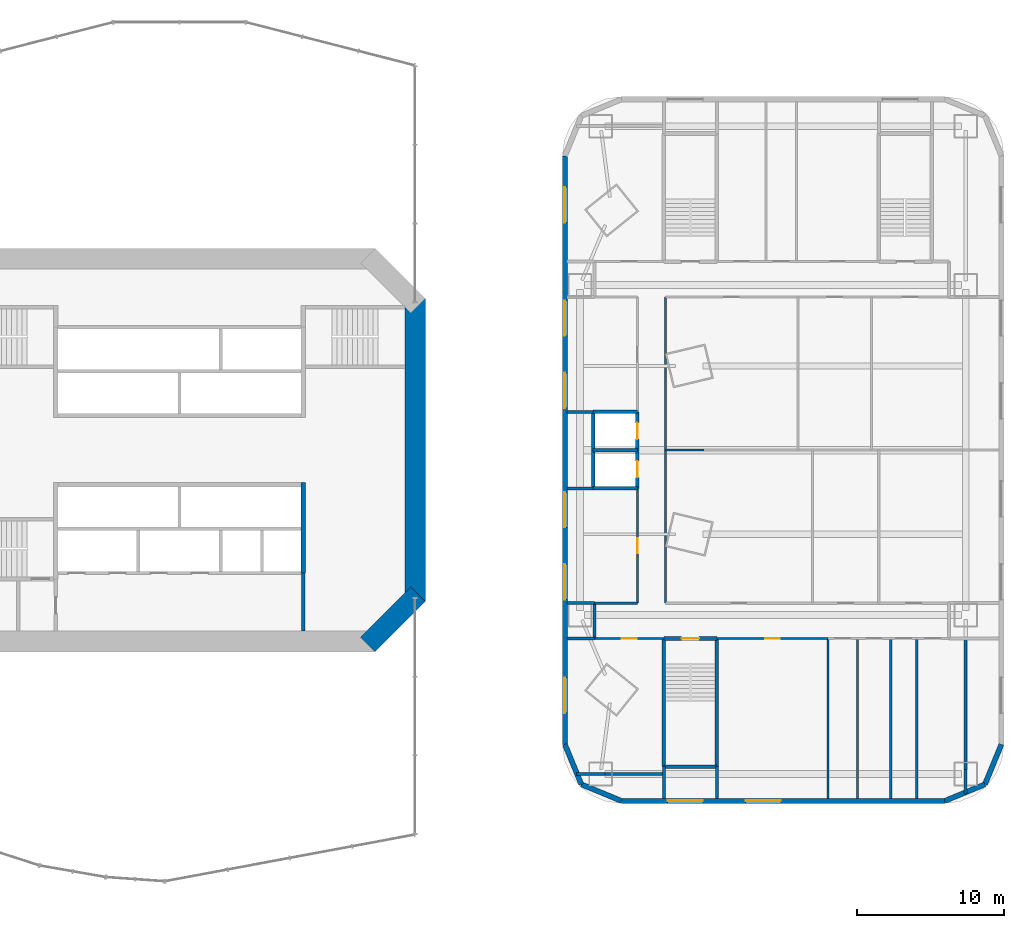
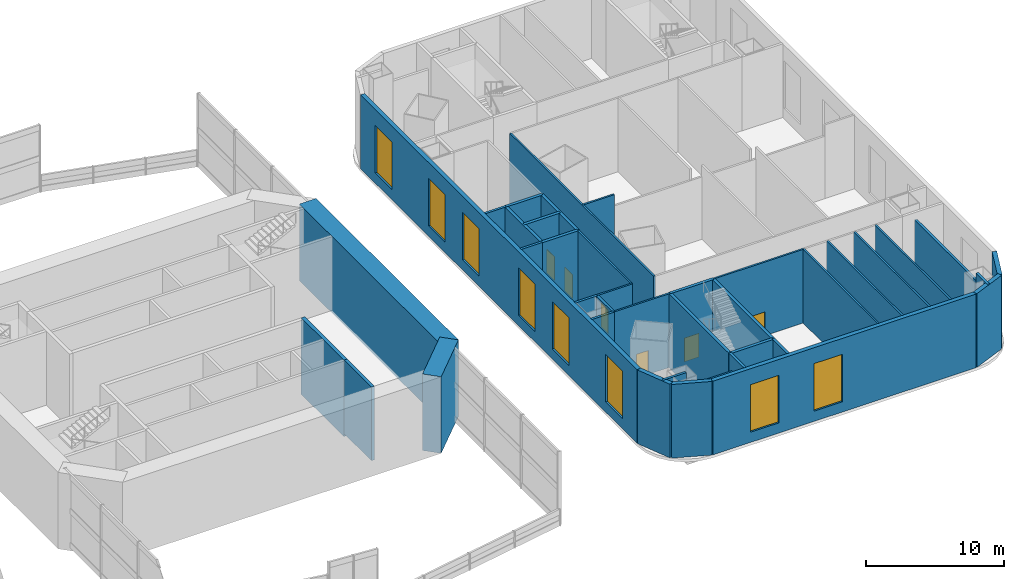
# One storey, part 13 of 19: 40 walls, 8 windows, 6 doors, 14 openings.
"""IFC4 building model written with IfcOpenShell, lengths in metres."""

import ifcopenshell
import ifcopenshell.guid

model = None  # the IFC model being written
_history = None  # IfcOwnerHistory: only IFC2X3 demands one
_inside = {}  # id of a spatial element -> (the spatial element, [elements in it])
_under = {}  # id of a project, library or spatial element -> (it, [spatial elements below it])
_declared = {}  # id of a project -> (the project, [libraries it declares])
_typed = {}  # id of a type object -> (the type object, [elements of that type])
_made_of = {}  # id of a material, layer set ... -> (it, [elements and type objects made of it])


def new_model(schema):
    """Start an empty IFC model of exactly this schema.

    Asked for "IFC4X3", IfcOpenShell would pick the latest addendum, in which some entities
    have other attributes; the version numbers below select the first issue.
    IFC2X3 requires an IfcOwnerHistory on every rooted entity: one is made here for all.
    """
    global model, _history
    if schema == "IFC4X3":
        model = ifcopenshell.file(schema_version=(4, 3, 0, 0))
    else:
        model = ifcopenshell.file(schema=schema)
    _inside.clear()
    _under.clear()
    _declared.clear()
    _typed.clear()
    _made_of.clear()
    _history = None
    if model.schema == "IFC2X3":
        org = make("IfcOrganization", Name="unknown")
        user = make(
            "IfcPersonAndOrganization",
            ThePerson=make("IfcPerson", FamilyName="unknown"),
            TheOrganization=org,
        )
        app = make(
            "IfcApplication",
            ApplicationDeveloper=org,
            Version="unknown",
            ApplicationFullName="unknown",
            ApplicationIdentifier="unknown",
        )
        _history = make(
            "IfcOwnerHistory",
            OwningUser=user,
            OwningApplication=app,
            ChangeAction="ADDED",
            CreationDate=0,
        )
    return model


def make(cls, **values):
    """One entity of the class cls with the attributes given. An attribute that is None is left unset."""
    return model.create_entity(
        cls, **{name: value for name, value in values.items() if value is not None}
    )


def rooted(cls, **values):
    """An entity with a GlobalId (a new one), such as an element, a storey or a relation."""
    return make(cls, GlobalId=ifcopenshell.guid.new(), OwnerHistory=_history, **values)


def si_unit(unit_type, name, prefix=None):
    """IfcSIUnit, for example si_unit("LENGTHUNIT", "METRE", prefix="MILLI")."""
    return make("IfcSIUnit", UnitType=unit_type, Prefix=prefix, Name=name)


def assignment(units):
    """IfcUnitAssignment: the units of a project."""
    return None if units is None else make("IfcUnitAssignment", Units=units)


def point(xyz):
    """IfcCartesianPoint."""
    return None if xyz is None else make("IfcCartesianPoint", Coordinates=xyz)


def direction(xyz):
    """IfcDirection."""
    return None if xyz is None else make("IfcDirection", DirectionRatios=xyz)


def frame(location, z_axis=None, x_axis=None):
    """IfcAxis2Placement3D, a coordinate frame: its origin and axes. An axis left out is left unset."""
    return make(
        "IfcAxis2Placement3D",
        Location=point(location),
        Axis=direction(z_axis),
        RefDirection=direction(x_axis),
    )


def frame_2d(location, x_axis=None):
    """IfcAxis2Placement2D, a coordinate frame in the plane: its origin and x axis."""
    return make(
        "IfcAxis2Placement2D", Location=point(location), RefDirection=direction(x_axis)
    )


def origin():
    """The frame at (0, 0, 0) with its axes left unset."""
    return frame((0.0, 0.0, 0.0))


def place(relative_to, where):
    """IfcLocalPlacement: puts the frame where relative to a parent placement (None: the world)."""
    return make(
        "IfcLocalPlacement", PlacementRelTo=relative_to, RelativePlacement=where
    )


def context(
    kind, dimensions, precision=None, world=None, true_north=None, identifier=None
):
    """IfcGeometricRepresentationContext, for example the 3D "Model" context."""
    return make(
        "IfcGeometricRepresentationContext",
        ContextIdentifier=identifier,
        ContextType=kind,
        CoordinateSpaceDimension=dimensions,
        Precision=precision,
        WorldCoordinateSystem=world,
        TrueNorth=true_north,
    )


def subcontext(parent, identifier, kind, view, scale=None):
    """IfcGeometricRepresentationSubContext, for example "Body" below "Model"."""
    return make(
        "IfcGeometricRepresentationSubContext",
        ContextIdentifier=identifier,
        ContextType=kind,
        ParentContext=parent,
        TargetScale=scale,
        TargetView=view,
    )


def project(units=None, contexts=None):
    """IfcProject with its units and contexts."""
    return rooted(
        "IfcProject",
        Name="project",
        RepresentationContexts=contexts,
        UnitsInContext=assignment(units),
    )


def spatial(cls, under=None, at=None, **own):
    """A site, building, storey or space (cls), placed at a placement, below another one or the project."""
    s = rooted(cls, ObjectPlacement=at, **own)
    if under is not None:
        _under.setdefault(under.id(), (under, []))[1].append(s)
    return s


def profile(cls, at=None, kind="AREA", **sizes):
    """A parametric profile (cls). Its sizes go by their IFC names, for example OverallWidth=200.0."""
    return make(cls, ProfileType=kind, Position=at, **sizes)


def rectangle(**sizes):
    """IfcRectangleProfileDef."""
    return profile("IfcRectangleProfileDef", **sizes)


def extrude(swept, where, along, depth):
    """IfcExtrudedAreaSolid: the profile swept, set in the frame where, extruded along a direction by depth."""
    return make(
        "IfcExtrudedAreaSolid",
        SweptArea=swept,
        Position=where,
        ExtrudedDirection=direction(along),
        Depth=depth,
    )


def shape(context_of_items, identifier, shape_type, items):
    """IfcShapeRepresentation: the items that make up one representation, for example the "Body"."""
    return make(
        "IfcShapeRepresentation",
        ContextOfItems=context_of_items,
        RepresentationIdentifier=identifier,
        RepresentationType=shape_type,
        Items=items,
    )


def material(Name=None, Category=None):
    """IfcMaterial."""
    return make("IfcMaterial", Name=Name, Category=Category)


def layer(
    of_material, thickness, ventilated=None, Name=None, Category=None, Priority=None
):
    """IfcMaterialLayer: one layer of a wall or slab, of a material (None: an air gap)."""
    return make(
        "IfcMaterialLayer",
        Material=of_material,
        LayerThickness=thickness,
        IsVentilated=ventilated,
        Name=Name,
        Category=Category,
        Priority=Priority,
    )


def layer_set(layers, Name=None):
    """IfcMaterialLayerSet."""
    return make("IfcMaterialLayerSet", MaterialLayers=layers, LayerSetName=Name)


def made_of(thing, what):
    """Note that an element or type object is made of a material, layer set ...; save() writes the relation."""
    if what is not None:
        _made_of.setdefault(what.id(), (what, []))[1].append(thing)
    return thing


def type_object(cls, material=None, **own):
    """A type object (cls), such as IfcWallType, which elements share."""
    return made_of(rooted(cls, **own), material)


def element(
    cls,
    number,
    at=None,
    inside=None,
    cuts=None,
    type_object=None,
    material=None,
    context=None,
    identifier="Body",
    shape_type=None,
    held_by="IfcProductDefinitionShape",
    body=None,
    shapes=None,
    **own,
):
    """One element of the class cls, such as IfcWall. Its Tag is "e" and its number.

    at: its placement. inside: the storey or other place that contains it. cuts: it is an
    opening in that element (IfcRelVoidsElement). A single representation is given by context,
    identifier, shape_type and body (its items); several are given by shapes. held_by: the class
    of the entity that holds the representations. save() writes the other relations.
    """
    e = rooted(cls, Tag="e%d" % number, ObjectPlacement=at, **own)
    if body is not None:
        shapes = [shape(context, identifier, shape_type, body)]
    if shapes is not None:
        e.Representation = make(held_by, Representations=shapes)
    if inside is not None:
        _inside.setdefault(inside.id(), (inside, []))[1].append(e)
    if cuts is not None:
        rooted(
            "IfcRelVoidsElement", RelatingBuildingElement=cuts, RelatedOpeningElement=e
        )
    if type_object is not None:
        _typed.setdefault(type_object.id(), (type_object, []))[1].append(e)
    return made_of(e, material)


def fill(opening, filler):
    """IfcRelFillsElement: the door or window that sits in an opening."""
    return rooted(
        "IfcRelFillsElement",
        RelatingOpeningElement=opening,
        RelatedBuildingElement=filler,
    )


def aggregate(whole, parts):
    """IfcRelAggregates: a whole, such as a stair, and the parts it consists of."""
    return rooted("IfcRelAggregates", RelatingObject=whole, RelatedObjects=parts)


def save(model, path):
    """Write the relations noted so far, then the file.

    IfcRelAggregates (storeys below a building ...), IfcRelContainedInSpatialStructure (elements
    in a storey), IfcRelDefinesByType, IfcRelAssociatesMaterial and IfcRelDeclares: one each for
    every whole, place, type object, material and project.
    """
    for whole, parts in _under.values():
        aggregate(whole, parts)
    for where, things in _inside.values():
        rooted(
            "IfcRelContainedInSpatialStructure",
            RelatedElements=things,
            RelatingStructure=where,
        )
    for kind, things in _typed.values():
        rooted("IfcRelDefinesByType", RelatedObjects=things, RelatingType=kind)
    for what, things in _made_of.values():
        rooted("IfcRelAssociatesMaterial", RelatedObjects=things, RelatingMaterial=what)
    for by, libraries in _declared.values():
        rooted("IfcRelDeclares", RelatingContext=by, RelatedDefinitions=libraries)
    model.write(path)


model = new_model("IFC4")

# Units and contexts
model_context = context("Model", 3, precision=1e-05, world=origin(), true_north=direction((0.0, 1.0)))
body_context = subcontext(model_context, "Body", "Model", "MODEL_VIEW")
ifc_project = project(units=[si_unit("LENGTHUNIT", "METRE"), si_unit("AREAUNIT", "SQUARE_METRE"), si_unit("VOLUMEUNIT", "CUBIC_METRE"), si_unit("PLANEANGLEUNIT", "RADIAN"), si_unit("MASSUNIT", "GRAM", prefix="KILO")], contexts=[model_context])

# Site, building, storey
site_placement = place(None, origin())
site = spatial("IfcSite", under=ifc_project, at=site_placement, CompositionType="ELEMENT")
building_placement = place(site_placement, origin())
building = spatial("IfcBuilding", under=site, at=building_placement, Name="Marenthal Gate Tower", CompositionType="ELEMENT")
storey_placement = place(building_placement, frame((0.0, 0.0, 19.0)))
storey = spatial("IfcBuildingStorey", under=building, at=storey_placement, Name="L02", CompositionType="ELEMENT", Elevation=19.0)

# Walls
ifc_material_1 = material(Name="Concrete 60 MPa", Category="concrete")
ifc_layer_1 = layer(ifc_material_1, 1.39990234375)
ifc_layer_set_1 = layer_set([ifc_layer_1], Name="Core shear wall 1400")
wall_type_1 = type_object("IfcWallType", Name="Core shear wall 1400", PredefinedType="SHEAR", material=ifc_layer_set_1)
wall_1_placement = place(storey_placement, frame((12.794921875, -13.205078125, -0.25), z_axis=(0.0, 0.0, 1.0), x_axis=(0.707106781187, 0.707106781187, 0.0)))
element("IfcWall", 1, at=wall_1_placement, inside=storey, type_object=wall_type_1, Name="Core wall 01", PredefinedType="SHEAR", context=body_context, shape_type="SweptSolid", body=[
    extrude(rectangle(XDim=4.82275390625, YDim=1.39990234375, at=frame_2d((2.411376953125, 0.0))), origin(), (0.0, 0.0, 1.0), 6.75),
])
wall_2_placement = place(storey_placement, frame((16.0, -10.289794921875, -0.25), z_axis=(0.0, 0.0, 1.0), x_axis=(0.0, 1.0, 0.0)))
element("IfcWall", 2, at=wall_2_placement, inside=storey, type_object=wall_type_1, Name="Core wall 02", PredefinedType="SHEAR", context=body_context, shape_type="SweptSolid", body=[
    extrude(rectangle(XDim=20.57958984375, YDim=1.39990234375, at=frame_2d((10.289794921875, 0.0))), origin(), (0.0, 0.0, 1.0), 6.75),
])
ifc_material_2 = material(Name="Concrete 50 MPa", Category="concrete")
ifc_layer_2 = layer(ifc_material_2, 0.300048828125)
ifc_layer_set_2 = layer_set([ifc_layer_2], Name="Hoistway shear wall 300")
wall_type_2 = type_object("IfcWallType", Name="Hoistway shear wall 300", PredefinedType="SHEAR", material=ifc_layer_set_2)
wall_3_placement = place(storey_placement, frame((8.39990234375, -8.35009765625, -0.25), z_axis=(0.0, 0.0, 1.0), x_axis=(0.0, 1.0, 0.0)))
element("IfcWall", 3, at=wall_3_placement, inside=storey, type_object=wall_type_2, Name="Hoistway wall 33", PredefinedType="SHEAR", context=body_context, shape_type="SweptSolid", body=[
    extrude(rectangle(XDim=6.150146484375, YDim=0.300048828125, at=frame_2d((3.0751953125, 0.0))), origin(), (0.0, 0.0, 1.0), 6.75),
])
ifc_material_3 = material(Name="Concrete 40 MPa", Category="concrete")
ifc_layer_3 = layer(ifc_material_3, 0.25)
ifc_layer_set_3 = layer_set([ifc_layer_3], Name="Hoistway wall 250")
wall_type_3 = type_object("IfcWallType", Name="Hoistway wall 250", PredefinedType="STANDARD", material=ifc_layer_set_3)
for number, where, z_axis, x_axis, name in (
    (4, (28.10009765625, -2.60009765625, 0.0), (0.0, 0.0, 1.0), (1.0, 0.0, 0.0), "Hoistway wall 37"),
    (5, (28.10009765625, 0.0, 0.0), (0.0, 0.0, 1.0), (1.0, 0.0, 0.0), "Hoistway wall 39"),
    (6, (28.10009765625, 2.60009765625, 0.0), (0.0, 0.0, 1.0), (1.0, 0.0, 0.0), "Hoistway wall 41"),
):
    element("IfcWall", number, at=place(storey_placement, frame(where, z_axis=z_axis, x_axis=x_axis)), inside=storey, type_object=wall_type_3, Name=name, PredefinedType="STANDARD", context=body_context, shape_type="SweptSolid", body=[
        extrude(rectangle(XDim=3.0, YDim=0.25, at=frame_2d((1.5, 0.0))), origin(), (0.0, 0.0, 1.0), 6.5),
    ])

# Wall, openings, doors
wall_4_placement = place(storey_placement, frame((31.10009765625, -2.60009765625, 0.0), z_axis=(0.0, 0.0, 1.0), x_axis=(0.0, 1.0, 0.0)))
wall_4 = element("IfcWall", 7, at=wall_4_placement, inside=storey, type_object=wall_type_3, Name="Hoistway wall 42", PredefinedType="STANDARD", context=body_context, shape_type="SweptSolid", body=[
    extrude(rectangle(XDim=5.2001953125, YDim=0.25, at=frame_2d((2.60009765625, 0.0))), origin(), (0.0, 0.0, 1.0), 6.5),
])
opening_1_placement = place(wall_4_placement, frame((0.75, 0.0, 0.0)))
opening_1 = element("IfcOpeningElement", 8, at=opening_1_placement, cuts=wall_4, Name="Opening LD.01", PredefinedType="OPENING", context=body_context, shape_type="SweptSolid", body=[
    extrude(rectangle(XDim=1.10009765625, YDim=2.10009765625, at=frame_2d((0.550048828125, 1.050048828125))), frame((0.0, 0.135009765625, 0.0), z_axis=(0.0, -1.0, 0.0), x_axis=(1.0, 0.0, 0.0)), (0.0, 0.0, 1.0), 0.27001953125),
])
opening_2_placement = place(wall_4_placement, frame((3.35009765625, 0.0, 0.0)))
opening_2 = element("IfcOpeningElement", 9, at=opening_2_placement, cuts=wall_4, Name="Opening LD.02", PredefinedType="OPENING", context=body_context, shape_type="SweptSolid", body=[
    extrude(rectangle(XDim=1.10009765625, YDim=2.10009765625, at=frame_2d((0.550048828125, 1.050048828125))), frame((0.0, 0.135009765625, 0.0), z_axis=(0.0, -1.0, 0.0), x_axis=(1.0, 0.0, 0.0)), (0.0, 0.0, 1.0), 0.27001953125),
])
ifc_material_4 = material(Name="Stainless steel sliding door", Category="steel")
door_type_1 = type_object("IfcDoorType", Name="Lift landing door FD 90 1100 x 2100", OperationType="DOUBLE_DOOR_SLIDING", PredefinedType="DOOR", material=ifc_material_4)
door_1_placement = place(opening_1_placement, origin())
door_1 = element("IfcDoor", 10, at=door_1_placement, inside=storey, type_object=door_type_1, Name="Lift landing door 01", OperationType="DOUBLE_DOOR_SLIDING", OverallHeight=2.10009765625, OverallWidth=1.10009765625, PredefinedType="DOOR", context=body_context, shape_type="SweptSolid", body=[
    extrude(rectangle(XDim=1.10009765625, YDim=2.10009765625, at=frame_2d((0.550048828125, 1.050048828125))), frame((0.0, 0.02490234375, 0.0), z_axis=(0.0, -1.0, 0.0), x_axis=(1.0, 0.0, 0.0)), (0.0, 0.0, 1.0), 0.050048828125),
])
fill(opening_1, door_1)
door_2_placement = place(opening_2_placement, origin())
door_2 = element("IfcDoor", 11, at=door_2_placement, inside=storey, type_object=door_type_1, Name="Lift landing door 02", OperationType="DOUBLE_DOOR_SLIDING", OverallHeight=2.10009765625, OverallWidth=1.10009765625, PredefinedType="DOOR", context=body_context, shape_type="SweptSolid", body=[
    extrude(rectangle(XDim=1.10009765625, YDim=2.10009765625, at=frame_2d((0.550048828125, 1.050048828125))), frame((0.0, 0.02490234375, 0.0), z_axis=(0.0, -1.0, 0.0), x_axis=(1.0, 0.0, 0.0)), (0.0, 0.0, 1.0), 0.050048828125),
])
fill(opening_2, door_2)

# Wall
wall_5_placement = place(storey_placement, frame((28.10009765625, -2.60009765625, 0.0), z_axis=(0.0, 0.0, 1.0), x_axis=(0.0, 1.0, 0.0)))
element("IfcWall", 12, at=wall_5_placement, inside=storey, type_object=wall_type_3, Name="Hoistway wall 43", PredefinedType="STANDARD", context=body_context, shape_type="SweptSolid", body=[
    extrude(rectangle(XDim=5.2001953125, YDim=0.25, at=frame_2d((2.60009765625, 0.0))), origin(), (0.0, 0.0, 1.0), 6.5),
])

# Wall, opening, door
ifc_material_5 = material(Name="Gypsum board on steel studs", Category="steel")
ifc_layer_4 = layer(ifc_material_5, 0.14990234375)
ifc_layer_set_4 = layer_set([ifc_layer_4], Name="Partition 150")
wall_type_4 = type_object("IfcWallType", Name="Partition 150", PredefinedType="PARTITIONING", material=ifc_layer_set_4)
wall_6_placement = place(storey_placement, frame((28.199951171875, -12.800048828125, 0.0), z_axis=(0.0, 0.0, 1.0), x_axis=(1.0, 0.0, 0.0)))
wall_6 = element("IfcWall", 13, at=wall_6_placement, inside=storey, type_object=wall_type_4, Name="Partition wall 49", PredefinedType="PARTITIONING", context=body_context, shape_type="SweptSolid", body=[
    extrude(rectangle(XDim=4.705078125, YDim=0.14990234375, at=frame_2d((2.3525390625, 0.0))), origin(), (0.0, 0.0, 1.0), 6.5),
])
opening_3_placement = place(wall_6_placement, frame((1.847412109375, 0.0, 0.0)))
opening_3 = element("IfcOpeningElement", 14, at=opening_3_placement, cuts=wall_6, Name="Opening D012.18", PredefinedType="OPENING", context=body_context, shape_type="SweptSolid", body=[
    extrude(rectangle(XDim=1.0, YDim=2.10009765625, at=frame_2d((0.5, 1.050048828125))), frame((0.0, 0.0849609375, 0.0), z_axis=(0.0, -1.0, 0.0), x_axis=(1.0, 0.0, 0.0)), (0.0, 0.0, 1.0), 0.169921875),
])
ifc_material_6 = material(Name="Timber door", Category="wood")
door_type_2 = type_object("IfcDoorType", Name="Door 1000 x 2100", OperationType="NOTDEFINED", PredefinedType="DOOR", material=ifc_material_6)
door_3_placement = place(opening_3_placement, frame((1.0, 0.0, 0.0), z_axis=(0.0, 0.0, 1.0), x_axis=(-1.0, 0.0, 0.0)))
door_3 = element("IfcDoor", 15, at=door_3_placement, inside=storey, type_object=door_type_2, Name="Door D012.18", OperationType="SINGLE_SWING_LEFT", OverallHeight=2.10009765625, OverallWidth=1.0, PredefinedType="DOOR", context=body_context, shape_type="SweptSolid", body=[
    extrude(rectangle(XDim=1.0, YDim=2.10009765625, at=frame_2d((0.5, 1.050048828125))), frame((0.0, 0.02490234375, 0.0), z_axis=(0.0, -1.0, 0.0), x_axis=(1.0, 0.0, 0.0)), (0.0, 0.0, 1.0), 0.050048828125),
])
fill(opening_3, door_3)

wall_7_placement = place(storey_placement, frame((36.4951171875, -12.800048828125, 0.0), z_axis=(0.0, 0.0, 1.0), x_axis=(1.0, 0.0, 0.0)))
wall_7 = element("IfcWall", 16, at=wall_7_placement, inside=storey, type_object=wall_type_4, Name="Partition wall 50", PredefinedType="PARTITIONING", context=body_context, shape_type="SweptSolid", body=[
    extrude(rectangle(XDim=7.5498046875, YDim=0.14990234375, at=frame_2d((3.77490234375, 0.0))), origin(), (0.0, 0.0, 1.0), 6.5),
])
opening_4_placement = place(wall_7_placement, frame((3.27490234375, 0.0, 0.0)))
opening_4 = element("IfcOpeningElement", 17, at=opening_4_placement, cuts=wall_7, Name="Opening D012.10", PredefinedType="OPENING", context=body_context, shape_type="SweptSolid", body=[
    extrude(rectangle(XDim=1.0, YDim=2.10009765625, at=frame_2d((0.5, 1.050048828125))), frame((0.0, 0.0849609375, 0.0), z_axis=(0.0, -1.0, 0.0), x_axis=(1.0, 0.0, 0.0)), (0.0, 0.0, 1.0), 0.169921875),
])
door_4_placement = place(opening_4_placement, frame((1.0, 0.0, 0.0), z_axis=(0.0, 0.0, 1.0), x_axis=(-1.0, 0.0, 0.0)))
door_4 = element("IfcDoor", 18, at=door_4_placement, inside=storey, type_object=door_type_2, Name="Door D012.10", OperationType="SINGLE_SWING_LEFT", OverallHeight=2.10009765625, OverallWidth=1.0, PredefinedType="DOOR", context=body_context, shape_type="SweptSolid", body=[
    extrude(rectangle(XDim=1.0, YDim=2.10009765625, at=frame_2d((0.5, 1.050048828125))), frame((0.0, 0.02490234375, 0.0), z_axis=(0.0, -1.0, 0.0), x_axis=(1.0, 0.0, 0.0)), (0.0, 0.0, 1.0), 0.050048828125),
])
fill(opening_4, door_4)

# Walls
wall_8_placement = place(storey_placement, frame((28.199951171875, -10.39990234375, 0.0), z_axis=(0.0, 0.0, 1.0), x_axis=(1.0, 0.0, 0.0)))
element("IfcWall", 19, at=wall_8_placement, inside=storey, type_object=wall_type_4, Name="Partition wall 54", PredefinedType="PARTITIONING", context=body_context, shape_type="SweptSolid", body=[
    extrude(rectangle(XDim=2.905029296875, YDim=0.14990234375, at=frame_2d((1.45263671875, 0.0))), origin(), (0.0, 0.0, 1.0), 6.5),
])
wall_9_placement = place(storey_placement, frame((33.0, 0.0, 0.0), z_axis=(0.0, 0.0, 1.0), x_axis=(1.0, 0.0, 0.0)))
element("IfcWall", 20, at=wall_9_placement, inside=storey, type_object=wall_type_4, Name="Partition wall 57", PredefinedType="PARTITIONING", context=body_context, shape_type="SweptSolid", body=[
    extrude(rectangle(XDim=2.62158203125, YDim=0.14990234375, at=frame_2d((1.310791015625, 0.0))), origin(), (0.0, 0.0, 1.0), 6.5),
])
wall_10_placement = place(storey_placement, frame((33.0, -10.39990234375, 0.0), z_axis=(0.0, 0.0, 1.0), x_axis=(0.0, 1.0, 0.0)))
element("IfcWall", 21, at=wall_10_placement, inside=storey, type_object=wall_type_4, Name="Partition wall 72", PredefinedType="PARTITIONING", context=body_context, shape_type="SweptSolid", body=[
    extrude(rectangle(XDim=20.7998046875, YDim=0.14990234375, at=frame_2d((10.39990234375, 0.0))), origin(), (0.0, 0.0, 1.0), 6.5),
])

# Wall, opening, door
wall_11_placement = place(storey_placement, frame((31.10009765625, -10.39990234375, 0.0), z_axis=(0.0, 0.0, 1.0), x_axis=(0.0, 1.0, 0.0)))
wall_11 = element("IfcWall", 22, at=wall_11_placement, inside=storey, type_object=wall_type_4, Name="Partition wall 73", PredefinedType="PARTITIONING", context=body_context, shape_type="SweptSolid", body=[
    extrude(rectangle(XDim=7.804931640625, YDim=0.14990234375, at=frame_2d((3.90234375, 0.0))), origin(), (0.0, 0.0, 1.0), 6.5),
])
opening_5_placement = place(wall_11_placement, frame((3.39990234375, 0.0, 0.0)))
opening_5 = element("IfcOpeningElement", 23, at=opening_5_placement, cuts=wall_11, Name="Opening D012.16", PredefinedType="OPENING", context=body_context, shape_type="SweptSolid", body=[
    extrude(rectangle(XDim=1.0, YDim=2.10009765625, at=frame_2d((0.5, 1.050048828125))), frame((0.0, 0.0849609375, 0.0), z_axis=(0.0, -1.0, 0.0), x_axis=(1.0, 0.0, 0.0)), (0.0, 0.0, 1.0), 0.169921875),
])
door_5_placement = place(opening_5_placement, origin())
door_5 = element("IfcDoor", 24, at=door_5_placement, inside=storey, type_object=door_type_2, Name="Door D012.16", OperationType="SINGLE_SWING_RIGHT", OverallHeight=2.10009765625, OverallWidth=1.0, PredefinedType="DOOR", context=body_context, shape_type="SweptSolid", body=[
    extrude(rectangle(XDim=1.0, YDim=2.10009765625, at=frame_2d((0.5, 1.050048828125))), frame((0.0, 0.02490234375, 0.0), z_axis=(0.0, -1.0, 0.0), x_axis=(1.0, 0.0, 0.0)), (0.0, 0.0, 1.0), 0.050048828125),
])
fill(opening_5, door_5)

# Walls
ifc_material_7 = material(Name="Gypsum board on steel studs", Category="steel")
ifc_layer_5 = layer(ifc_material_7, 0.199951171875)
ifc_layer_set_5 = layer_set([ifc_layer_5], Name="Partition 200")
wall_type_5 = type_object("IfcWallType", Name="Partition 200", PredefinedType="PARTITIONING", material=ifc_layer_set_5)
wall_12_placement = place(storey_placement, frame((26.951904296875, -22.0, 0.0), z_axis=(0.0, 0.0, 1.0), x_axis=(1.0, 0.0, 0.0)))
element("IfcWall", 25, at=wall_12_placement, inside=storey, type_object=wall_type_5, Name="Partition wall 83", PredefinedType="PARTITIONING", context=body_context, shape_type="SweptSolid", body=[
    extrude(rectangle(XDim=1.947998046875, YDim=0.199951171875, at=frame_2d((0.97412109375, 0.0))), origin(), (0.0, 0.0, 1.0), 6.5),
])
wall_13_placement = place(storey_placement, frame((28.89990234375, -22.0, 0.0), z_axis=(0.0, 0.0, 1.0), x_axis=(1.0, 0.0, 0.0)))
element("IfcWall", 26, at=wall_13_placement, inside=storey, type_object=wall_type_5, Name="Partition wall 170", PredefinedType="PARTITIONING", context=body_context, shape_type="SweptSolid", body=[
    extrude(rectangle(XDim=4.0, YDim=0.199951171875, at=frame_2d((2.0, 0.0))), origin(), (0.0, 0.0, 1.0), 5.199951171875),
])
for number, where, z_axis, x_axis, name in (
    (27, (26.330078125, -12.800048828125, 0.0), (0.0, 0.0, 1.0), (1.0, 0.0, 0.0), "Partition wall 86"),
    (28, (26.330078125, -10.39990234375, 0.0), (0.0, 0.0, 1.0), (1.0, 0.0, 0.0), "Partition wall 90"),
):
    element("IfcWall", number, at=place(storey_placement, frame(where, z_axis=z_axis, x_axis=x_axis)), inside=storey, type_object=wall_type_5, Name=name, PredefinedType="PARTITIONING", context=body_context, shape_type="SweptSolid", body=[
        extrude(rectangle(XDim=1.873779296875, YDim=0.199951171875, at=frame_2d((0.93701171875, 0.0))), origin(), (0.0, 0.0, 1.0), 6.5),
    ])
for number, where, z_axis, x_axis, name in (
    (29, (26.330078125, -2.60009765625, 0.0), (0.0, 0.0, 1.0), (1.0, 0.0, 0.0), "Partition wall 93"),
    (30, (26.330078125, 2.60009765625, 0.0), (0.0, 0.0, 1.0), (1.0, 0.0, 0.0), "Partition wall 95"),
):
    element("IfcWall", number, at=place(storey_placement, frame(where, z_axis=z_axis, x_axis=x_axis)), inside=storey, type_object=wall_type_5, Name=name, PredefinedType="PARTITIONING", context=body_context, shape_type="SweptSolid", body=[
        extrude(rectangle(XDim=1.77001953125, YDim=0.199951171875, at=frame_2d((0.885009765625, 0.0))), origin(), (0.0, 0.0, 1.0), 6.5),
    ])
wall_14_placement = place(storey_placement, frame((53.39990234375, -23.35546875, 0.0), z_axis=(0.0, 0.0, 1.0), x_axis=(0.0, 1.0, 0.0)))
element("IfcWall", 31, at=wall_14_placement, inside=storey, type_object=wall_type_5, Name="Partition wall 06", PredefinedType="PARTITIONING", context=body_context, shape_type="SweptSolid", body=[
    extrude(rectangle(XDim=1.655517578125, YDim=0.199951171875, at=frame_2d((0.82763671875, 0.0))), origin(), (0.0, 0.0, 1.0), 6.5),
])
wall_15_placement = place(storey_placement, frame((53.39990234375, -21.699951171875, 0.0), z_axis=(0.0, 0.0, 1.0), x_axis=(0.0, 1.0, 0.0)))
element("IfcWall", 32, at=wall_15_placement, inside=storey, type_object=wall_type_5, Name="Partition wall 173", PredefinedType="PARTITIONING", context=body_context, shape_type="SweptSolid", body=[
    extrude(rectangle(XDim=8.89990234375, YDim=0.199951171875, at=frame_2d((4.449951171875, 0.0))), origin(), (0.0, 0.0, 1.0), 5.81689453125),
])
for number, where, z_axis, x_axis, name in (
    (33, (36.5, -23.669921875, 0.0), (0.0, 0.0, 1.0), (0.0, 1.0, 0.0), "Partition wall 11"),
    (34, (32.89990234375, -23.669921875, 0.0), (0.0, 0.0, 1.0), (0.0, 1.0, 0.0), "Partition wall 13"),
):
    element("IfcWall", number, at=place(storey_placement, frame(where, z_axis=z_axis, x_axis=x_axis)), inside=storey, type_object=wall_type_5, Name=name, PredefinedType="PARTITIONING", context=body_context, shape_type="SweptSolid", body=[
        extrude(rectangle(XDim=2.173828125, YDim=0.199951171875, at=frame_2d((1.0869140625, 0.0))), origin(), (0.0, 0.0, 1.0), 6.5),
    ])
wall_16_placement = place(storey_placement, frame((28.199951171875, -12.800048828125, 0.0), z_axis=(0.0, 0.0, 1.0), x_axis=(0.0, 1.0, 0.0)))
element("IfcWall", 35, at=wall_16_placement, inside=storey, type_object=wall_type_5, Name="Partition wall 15", PredefinedType="PARTITIONING", context=body_context, shape_type="SweptSolid", body=[
    extrude(rectangle(XDim=2.400146484375, YDim=0.199951171875, at=frame_2d((1.2001953125, 0.0))), origin(), (0.0, 0.0, 1.0), 6.5),
])
ifc_material_8 = material(Name="Concrete 40 MPa", Category="concrete")
ifc_layer_6 = layer(ifc_material_8, 0.25)
ifc_layer_set_6 = layer_set([ifc_layer_6], Name="Stair enclosure wall 250")
wall_type_6 = type_object("IfcWallType", Name="Stair enclosure wall 250", PredefinedType="STANDARD", material=ifc_layer_set_6)
wall_17_placement = place(storey_placement, frame((8.39990234375, -12.300048828125, 0.0), z_axis=(0.0, 0.0, 1.0), x_axis=(0.0, 1.0, 0.0)))
element("IfcWall", 36, at=wall_17_placement, inside=storey, type_object=wall_type_6, Name="Stair wall 32", PredefinedType="STANDARD", context=body_context, shape_type="SweptSolid", body=[
    extrude(rectangle(XDim=3.949951171875, YDim=0.25, at=frame_2d((1.97509765625, 0.0))), origin(), (0.0, 0.0, 1.0), 6.5),
])
ifc_material_9 = material(Name="Concrete 50 MPa", Category="concrete")
ifc_layer_7 = layer(ifc_material_9, 0.25)
ifc_layer_set_7 = layer_set([ifc_layer_7], Name="Stair shear wall 250")
wall_type_7 = type_object("IfcWallType", Name="Stair shear wall 250", PredefinedType="SHEAR", material=ifc_layer_set_7)
wall_18_placement = place(storey_placement, frame((32.89990234375, -21.5, 0.0), z_axis=(0.0, 0.0, 1.0), x_axis=(1.0, 0.0, 0.0)))
element("IfcWall", 37, at=wall_18_placement, inside=storey, type_object=wall_type_7, Name="Stair wall 29", PredefinedType="SHEAR", context=body_context, shape_type="SweptSolid", body=[
    extrude(rectangle(XDim=3.60009765625, YDim=0.25, at=frame_2d((1.800048828125, 0.0))), origin(), (0.0, 0.0, 1.0), 6.5),
])

# Wall, opening, door
wall_19_placement = place(storey_placement, frame((32.89501953125, -12.800048828125, 0.0), z_axis=(0.0, 0.0, 1.0), x_axis=(1.0, 0.0, 0.0)))
wall_19 = element("IfcWall", 38, at=wall_19_placement, inside=storey, type_object=wall_type_7, Name="Stair wall 31", PredefinedType="SHEAR", context=body_context, shape_type="SweptSolid", body=[
    extrude(rectangle(XDim=3.60986328125, YDim=0.25, at=frame_2d((1.804931640625, 0.0))), origin(), (0.0, 0.0, 1.0), 6.5),
])
opening_6_placement = place(wall_19_placement, frame((1.205078125, 0.0, 0.0)))
opening_6 = element("IfcOpeningElement", 39, at=opening_6_placement, cuts=wall_19, Name="Opening D001.03", PredefinedType="OPENING", context=body_context, shape_type="SweptSolid", body=[
    extrude(rectangle(XDim=1.199951171875, YDim=2.10009765625, at=frame_2d((0.60009765625, 1.050048828125))), frame((0.0, 0.135009765625, 0.0), z_axis=(0.0, -1.0, 0.0), x_axis=(1.0, 0.0, 0.0)), (0.0, 0.0, 1.0), 0.27001953125),
])
ifc_material_10 = material(Name="Steel fire door", Category="steel")
door_type_3 = type_object("IfcDoorType", Name="Fire door FD 90 1200 x 2100", OperationType="NOTDEFINED", PredefinedType="DOOR", material=ifc_material_10)
door_6_placement = place(opening_6_placement, frame((1.199951171875, 0.0, 0.0), z_axis=(0.0, 0.0, 1.0), x_axis=(-1.0, 0.0, 0.0)))
door_6 = element("IfcDoor", 40, at=door_6_placement, inside=storey, type_object=door_type_3, Name="Door D001.03", OperationType="SINGLE_SWING_LEFT", OverallHeight=2.10009765625, OverallWidth=1.199951171875, PredefinedType="DOOR", context=body_context, shape_type="SweptSolid", body=[
    extrude(rectangle(XDim=1.199951171875, YDim=2.10009765625, at=frame_2d((0.60009765625, 1.050048828125))), frame((0.0, 0.02490234375, 0.0), z_axis=(0.0, -1.0, 0.0), x_axis=(1.0, 0.0, 0.0)), (0.0, 0.0, 1.0), 0.050048828125),
])
fill(opening_6, door_6)

# Walls
for number, where, z_axis, x_axis, name in (
    (41, (36.5, -21.5, 0.0), (0.0, 0.0, 1.0), (0.0, 1.0, 0.0), "Stair wall 42"),
    (42, (32.89990234375, -21.5, 0.0), (0.0, 0.0, 1.0), (0.0, 1.0, 0.0), "Stair wall 44"),
):
    element("IfcWall", number, at=place(storey_placement, frame(where, z_axis=z_axis, x_axis=x_axis)), inside=storey, type_object=wall_type_7, Name=name, PredefinedType="SHEAR", context=body_context, shape_type="SweptSolid", body=[
        extrude(rectangle(XDim=8.699951171875, YDim=0.25, at=frame_2d((4.35009765625, 0.0))), origin(), (0.0, 0.0, 1.0), 6.5),
    ])
ifc_material_11 = material(Name="Terracotta cladding on insulated concrete-block backing", Category="masonry")
ifc_layer_8 = layer(ifc_material_11, 0.35009765625)
ifc_layer_set_8 = layer_set([ifc_layer_8], Name="Terracotta cladding wall 350")
wall_type_8 = type_object("IfcWallType", Name="Terracotta cladding wall 350", PredefinedType="SOLIDWALL", material=ifc_layer_set_8)
for number, where, z_axis, x_axis, name in (
    (43, (51.988525390625, -23.824951171875, 0.0), (0.0, 0.0, 1.0), (0.924274813566, 0.381727741993, 0.0), "Terracotta cladding wall L02 E1"),
    (44, (54.70361328125, -22.70361328125, 0.0), (0.0, 0.0, 1.0), (0.381727741993, 0.924274813566, 0.0), "Terracotta cladding wall L02 E2"),
):
    element("IfcWall", number, at=place(storey_placement, frame(where, z_axis=z_axis, x_axis=x_axis)), inside=storey, type_object=wall_type_8, Name=name, PredefinedType="SOLIDWALL", context=body_context, shape_type="SweptSolid", body=[
        extrude(rectangle(XDim=2.9375, YDim=0.35009765625, at=frame_2d((1.46875, 0.0))), origin(), (0.0, 0.0, 1.0), 6.5),
    ])

# Wall, openings, windows
wall_20_placement = place(storey_placement, frame((26.175048828125, 19.988525390625, 0.0), z_axis=(0.0, 0.0, 1.0), x_axis=(0.0, -1.0, 0.0)))
wall_20 = element("IfcWall", 45, at=wall_20_placement, inside=storey, type_object=wall_type_8, Name="Terracotta cladding wall L02 E9", PredefinedType="SOLIDWALL", context=body_context, shape_type="SweptSolid", body=[
    extrude(rectangle(XDim=39.97705078125, YDim=0.35009765625, at=frame_2d((19.988525390625, 0.0))), origin(), (0.0, 0.0, 1.0), 6.5),
])
opening_7_placement = place(wall_20_placement, frame((2.13134765625, 0.0, 0.89990234375)))
opening_7 = element("IfcOpeningElement", 46, at=opening_7_placement, cuts=wall_20, Name="Opening WN4-L02-25", PredefinedType="OPENING", context=body_context, shape_type="SweptSolid", body=[
    extrude(rectangle(XDim=2.39990234375, YDim=4.199951171875, at=frame_2d((1.199951171875, 2.10009765625))), frame((0.0, 0.18505859375, 0.0), z_axis=(0.0, -1.0, 0.0), x_axis=(1.0, 0.0, 0.0)), (0.0, 0.0, 1.0), 0.3701171875),
])
opening_8_placement = place(wall_20_placement, frame((9.83837890625, 0.0, 0.89990234375)))
opening_8 = element("IfcOpeningElement", 47, at=opening_8_placement, cuts=wall_20, Name="Opening WN4-L02-26", PredefinedType="OPENING", context=body_context, shape_type="SweptSolid", body=[
    extrude(rectangle(XDim=2.39990234375, YDim=4.199951171875, at=frame_2d((1.199951171875, 2.10009765625))), frame((0.0, 0.18505859375, 0.0), z_axis=(0.0, -1.0, 0.0), x_axis=(1.0, 0.0, 0.0)), (0.0, 0.0, 1.0), 0.3701171875),
])
opening_9_placement = place(wall_20_placement, frame((14.738525390625, 0.0, 0.89990234375)))
opening_9 = element("IfcOpeningElement", 48, at=opening_9_placement, cuts=wall_20, Name="Opening WN4-L02-27", PredefinedType="OPENING", context=body_context, shape_type="SweptSolid", body=[
    extrude(rectangle(XDim=2.39990234375, YDim=4.199951171875, at=frame_2d((1.199951171875, 2.10009765625))), frame((0.0, 0.18505859375, 0.0), z_axis=(0.0, -1.0, 0.0), x_axis=(1.0, 0.0, 0.0)), (0.0, 0.0, 1.0), 0.3701171875),
])
opening_10_placement = place(wall_20_placement, frame((22.83837890625, 0.0, 0.89990234375)))
opening_10 = element("IfcOpeningElement", 49, at=opening_10_placement, cuts=wall_20, Name="Opening WN4-L02-28", PredefinedType="OPENING", context=body_context, shape_type="SweptSolid", body=[
    extrude(rectangle(XDim=2.39990234375, YDim=4.199951171875, at=frame_2d((1.199951171875, 2.10009765625))), frame((0.0, 0.18505859375, 0.0), z_axis=(0.0, -1.0, 0.0), x_axis=(1.0, 0.0, 0.0)), (0.0, 0.0, 1.0), 0.3701171875),
])
opening_11_placement = place(wall_20_placement, frame((27.738525390625, 0.0, 0.89990234375)))
opening_11 = element("IfcOpeningElement", 50, at=opening_11_placement, cuts=wall_20, Name="Opening WN4-L02-29", PredefinedType="OPENING", context=body_context, shape_type="SweptSolid", body=[
    extrude(rectangle(XDim=2.39990234375, YDim=4.199951171875, at=frame_2d((1.199951171875, 2.10009765625))), frame((0.0, 0.18505859375, 0.0), z_axis=(0.0, -1.0, 0.0), x_axis=(1.0, 0.0, 0.0)), (0.0, 0.0, 1.0), 0.3701171875),
])
opening_12_placement = place(wall_20_placement, frame((35.445556640625, 0.0, 0.89990234375)))
opening_12 = element("IfcOpeningElement", 51, at=opening_12_placement, cuts=wall_20, Name="Opening WN4-L02-30", PredefinedType="OPENING", context=body_context, shape_type="SweptSolid", body=[
    extrude(rectangle(XDim=2.39990234375, YDim=4.199951171875, at=frame_2d((1.199951171875, 2.10009765625))), frame((0.0, 0.18505859375, 0.0), z_axis=(0.0, -1.0, 0.0), x_axis=(1.0, 0.0, 0.0)), (0.0, 0.0, 1.0), 0.3701171875),
])
ifc_material_12 = material(Name="Aluminium and laminated impact-rated glass", Category="aluminium")
window_type = type_object("IfcWindowType", Name="Window 2400x4200 impact-rated", PartitioningType="DOUBLE_PANEL_VERTICAL", PredefinedType="WINDOW", material=ifc_material_12)
window_1_placement = place(opening_7_placement, origin())
window_1 = element("IfcWindow", 52, at=window_1_placement, inside=storey, type_object=window_type, Name="Window L02 E9 1", OverallHeight=4.199951171875, OverallWidth=2.39990234375, PartitioningType="SINGLE_PANEL", PredefinedType="WINDOW", context=body_context, shape_type="SweptSolid", body=[
    extrude(rectangle(XDim=2.39990234375, YDim=4.199951171875, at=frame_2d((1.199951171875, 2.10009765625))), frame((0.0, 0.030029296875, 0.0), z_axis=(0.0, -1.0, 0.0), x_axis=(1.0, 0.0, 0.0)), (0.0, 0.0, 1.0), 0.06005859375),
])
fill(opening_7, window_1)
window_2_placement = place(opening_8_placement, origin())
window_2 = element("IfcWindow", 53, at=window_2_placement, inside=storey, type_object=window_type, Name="Window L02 E9 2", OverallHeight=4.199951171875, OverallWidth=2.39990234375, PartitioningType="SINGLE_PANEL", PredefinedType="WINDOW", context=body_context, shape_type="SweptSolid", body=[
    extrude(rectangle(XDim=2.39990234375, YDim=4.199951171875, at=frame_2d((1.199951171875, 2.10009765625))), frame((0.0, 0.030029296875, 0.0), z_axis=(0.0, -1.0, 0.0), x_axis=(1.0, 0.0, 0.0)), (0.0, 0.0, 1.0), 0.06005859375),
])
fill(opening_8, window_2)
window_3_placement = place(opening_9_placement, origin())
window_3 = element("IfcWindow", 54, at=window_3_placement, inside=storey, type_object=window_type, Name="Window L02 E9 3", OverallHeight=4.199951171875, OverallWidth=2.39990234375, PartitioningType="SINGLE_PANEL", PredefinedType="WINDOW", context=body_context, shape_type="SweptSolid", body=[
    extrude(rectangle(XDim=2.39990234375, YDim=4.199951171875, at=frame_2d((1.199951171875, 2.10009765625))), frame((0.0, 0.030029296875, 0.0), z_axis=(0.0, -1.0, 0.0), x_axis=(1.0, 0.0, 0.0)), (0.0, 0.0, 1.0), 0.06005859375),
])
fill(opening_9, window_3)
window_4_placement = place(opening_10_placement, origin())
window_4 = element("IfcWindow", 55, at=window_4_placement, inside=storey, type_object=window_type, Name="Window L02 E9 4", OverallHeight=4.199951171875, OverallWidth=2.39990234375, PartitioningType="SINGLE_PANEL", PredefinedType="WINDOW", context=body_context, shape_type="SweptSolid", body=[
    extrude(rectangle(XDim=2.39990234375, YDim=4.199951171875, at=frame_2d((1.199951171875, 2.10009765625))), frame((0.0, 0.030029296875, 0.0), z_axis=(0.0, -1.0, 0.0), x_axis=(1.0, 0.0, 0.0)), (0.0, 0.0, 1.0), 0.06005859375),
])
fill(opening_10, window_4)
window_5_placement = place(opening_11_placement, origin())
window_5 = element("IfcWindow", 56, at=window_5_placement, inside=storey, type_object=window_type, Name="Window L02 E9 5", OverallHeight=4.199951171875, OverallWidth=2.39990234375, PartitioningType="SINGLE_PANEL", PredefinedType="WINDOW", context=body_context, shape_type="SweptSolid", body=[
    extrude(rectangle(XDim=2.39990234375, YDim=4.199951171875, at=frame_2d((1.199951171875, 2.10009765625))), frame((0.0, 0.030029296875, 0.0), z_axis=(0.0, -1.0, 0.0), x_axis=(1.0, 0.0, 0.0)), (0.0, 0.0, 1.0), 0.06005859375),
])
fill(opening_11, window_5)
window_6_placement = place(opening_12_placement, origin())
window_6 = element("IfcWindow", 57, at=window_6_placement, inside=storey, type_object=window_type, Name="Window L02 E9 6", OverallHeight=4.199951171875, OverallWidth=2.39990234375, PartitioningType="SINGLE_PANEL", PredefinedType="WINDOW", context=body_context, shape_type="SweptSolid", body=[
    extrude(rectangle(XDim=2.39990234375, YDim=4.199951171875, at=frame_2d((1.199951171875, 2.10009765625))), frame((0.0, 0.030029296875, 0.0), z_axis=(0.0, -1.0, 0.0), x_axis=(1.0, 0.0, 0.0)), (0.0, 0.0, 1.0), 0.06005859375),
])
fill(opening_12, window_6)

# Walls
for number, where, z_axis, x_axis, name in (
    (58, (26.175048828125, -19.988525390625, 0.0), (0.0, 0.0, 1.0), (0.381727741993, -0.924274813566, 0.0), "Terracotta cladding wall L02 E10"),
    (59, (27.29638671875, -22.70361328125, 0.0), (0.0, 0.0, 1.0), (0.924274813566, -0.381727741993, 0.0), "Terracotta cladding wall L02 E11"),
):
    element("IfcWall", number, at=place(storey_placement, frame(where, z_axis=z_axis, x_axis=x_axis)), inside=storey, type_object=wall_type_8, Name=name, PredefinedType="SOLIDWALL", context=body_context, shape_type="SweptSolid", body=[
        extrude(rectangle(XDim=2.9375, YDim=0.35009765625, at=frame_2d((1.46875, 0.0))), origin(), (0.0, 0.0, 1.0), 6.5),
    ])

# Wall, openings, windows
wall_21_placement = place(storey_placement, frame((30.011474609375, -23.824951171875, 0.0), z_axis=(0.0, 0.0, 1.0), x_axis=(1.0, 0.0, 0.0)))
wall_21 = element("IfcWall", 60, at=wall_21_placement, inside=storey, type_object=wall_type_8, Name="Terracotta cladding wall L02 E12", PredefinedType="SOLIDWALL", context=body_context, shape_type="SweptSolid", body=[
    extrude(rectangle(XDim=21.97705078125, YDim=0.35009765625, at=frame_2d((10.988525390625, 0.0))), origin(), (0.0, 0.0, 1.0), 6.5),
])
opening_13_placement = place(wall_21_placement, frame((3.138427734375, 0.0, 0.89990234375)))
opening_13 = element("IfcOpeningElement", 61, at=opening_13_placement, cuts=wall_21, Name="Opening WN4-L02-31", PredefinedType="OPENING", context=body_context, shape_type="SweptSolid", body=[
    extrude(rectangle(XDim=2.39990234375, YDim=4.199951171875, at=frame_2d((1.199951171875, 2.10009765625))), frame((0.0, 0.18505859375, 0.0), z_axis=(0.0, -1.0, 0.0), x_axis=(1.0, 0.0, 0.0)), (0.0, 0.0, 1.0), 0.3701171875),
])
opening_14_placement = place(wall_21_placement, frame((8.4384765625, 0.0, 0.89990234375)))
opening_14 = element("IfcOpeningElement", 62, at=opening_14_placement, cuts=wall_21, Name="Opening WN4-L02-32", PredefinedType="OPENING", context=body_context, shape_type="SweptSolid", body=[
    extrude(rectangle(XDim=2.39990234375, YDim=4.199951171875, at=frame_2d((1.199951171875, 2.10009765625))), frame((0.0, 0.18505859375, 0.0), z_axis=(0.0, -1.0, 0.0), x_axis=(1.0, 0.0, 0.0)), (0.0, 0.0, 1.0), 0.3701171875),
])
window_7_placement = place(opening_13_placement, origin())
window_7 = element("IfcWindow", 63, at=window_7_placement, inside=storey, type_object=window_type, Name="Window L02 E12 1", OverallHeight=4.199951171875, OverallWidth=2.39990234375, PartitioningType="SINGLE_PANEL", PredefinedType="WINDOW", context=body_context, shape_type="SweptSolid", body=[
    extrude(rectangle(XDim=2.39990234375, YDim=4.199951171875, at=frame_2d((1.199951171875, 2.10009765625))), frame((0.0, 0.030029296875, 0.0), z_axis=(0.0, -1.0, 0.0), x_axis=(1.0, 0.0, 0.0)), (0.0, 0.0, 1.0), 0.06005859375),
])
fill(opening_13, window_7)
window_8_placement = place(opening_14_placement, origin())
window_8 = element("IfcWindow", 64, at=window_8_placement, inside=storey, type_object=window_type, Name="Window L02 E12 2", OverallHeight=4.199951171875, OverallWidth=2.39990234375, PartitioningType="SINGLE_PANEL", PredefinedType="WINDOW", context=body_context, shape_type="SweptSolid", body=[
    extrude(rectangle(XDim=2.39990234375, YDim=4.199951171875, at=frame_2d((1.199951171875, 2.10009765625))), frame((0.0, 0.030029296875, 0.0), z_axis=(0.0, -1.0, 0.0), x_axis=(1.0, 0.0, 0.0)), (0.0, 0.0, 1.0), 0.06005859375),
])
fill(opening_14, window_8)

# Walls
ifc_material_13 = material(Name="Gypsum board on steel studs", Category="steel")
ifc_layer_9 = layer(ifc_material_13, 0.14990234375)
ifc_layer_set_9 = layer_set([ifc_layer_9], Name="Wet room partition 150")
wall_type_9 = type_object("IfcWallType", Name="Wet room partition 150", PredefinedType="PARTITIONING", material=ifc_layer_set_9)
for number, where, z_axis, x_axis, name in (
    (65, (50.070068359375, -23.669921875, 0.0), (0.0, 0.0, 1.0), (0.0, 1.0, 0.0), "Wet wall 55"),
    (66, (48.31005859375, -23.669921875, 0.0), (0.0, 0.0, 1.0), (0.0, 1.0, 0.0), "Wet wall 56"),
    (67, (46.050048828125, -23.669921875, 0.0), (0.0, 0.0, 1.0), (0.0, 1.0, 0.0), "Wet wall 57"),
    (68, (44.0400390625, -23.669921875, 0.0), (0.0, 0.0, 1.0), (0.0, 1.0, 0.0), "Wet wall 58"),
):
    element("IfcWall", number, at=place(storey_placement, frame(where, z_axis=z_axis, x_axis=x_axis)), inside=storey, type_object=wall_type_9, Name=name, PredefinedType="PARTITIONING", context=body_context, shape_type="SweptSolid", body=[
        extrude(rectangle(XDim=10.869873046875, YDim=0.14990234375, at=frame_2d((5.43505859375, 0.0))), origin(), (0.0, 0.0, 1.0), 6.5),
    ])

save(model, "model.ifc")
